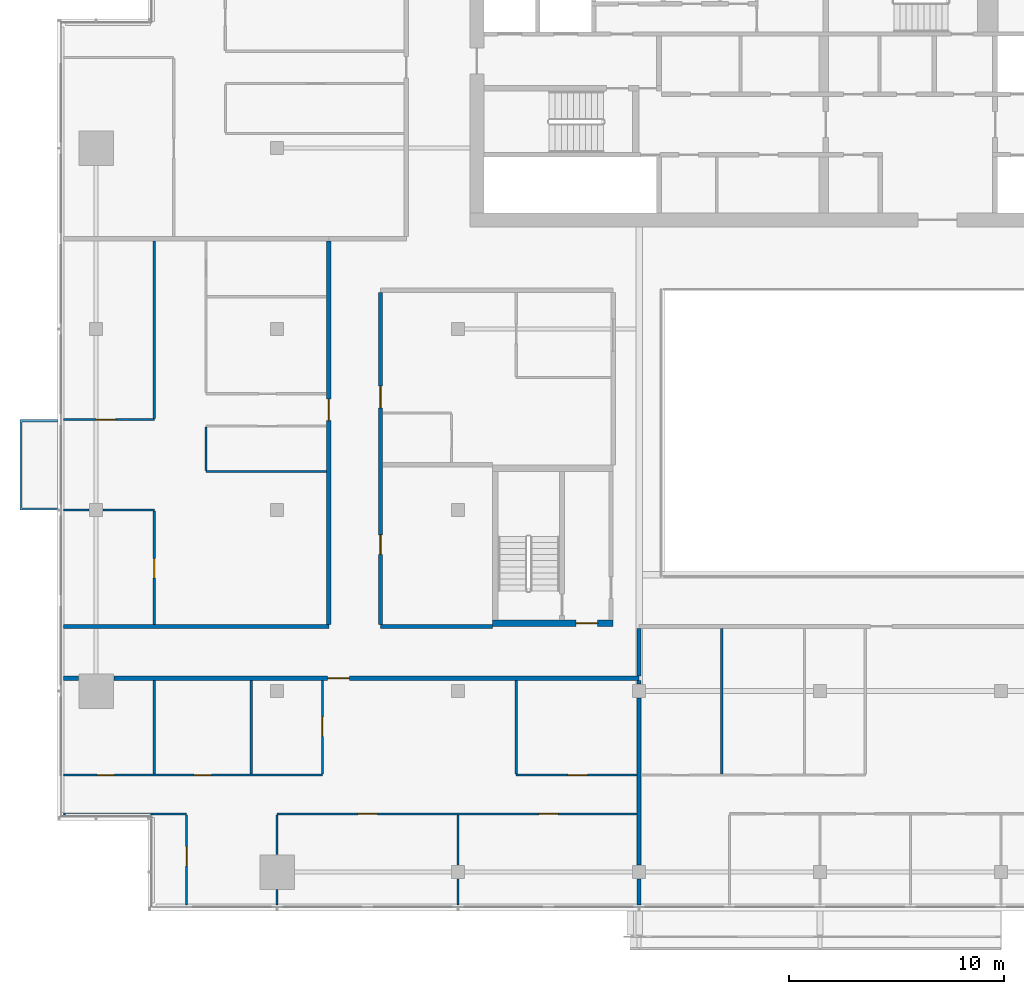
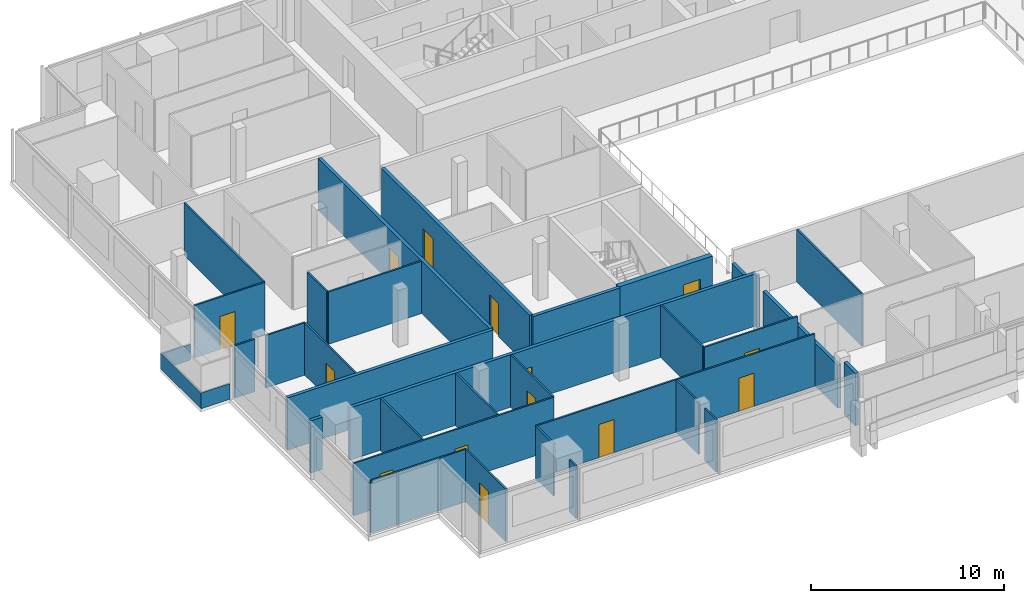
# One storey, part 17 of 26: 33 walls, 14 doors, 14 openings.
"""IFC4 building model written with IfcOpenShell, lengths in metres."""

from ifc_helpers import new_model, si_unit, direction, frame, frame_2d, origin, place, context, subcontext, project, spatial, polyline, rectangle, outline, extrude, material, layer, layer_set, type_object, element, fill, save


model = new_model("IFC4")

# Units and contexts
model_context = context("Model", 3, precision=1e-05, world=origin(), true_north=direction((0.0, 1.0)))
body_context = subcontext(model_context, "Body", "Model", "MODEL_VIEW")
ifc_project = project(units=[si_unit("LENGTHUNIT", "METRE"), si_unit("AREAUNIT", "SQUARE_METRE"), si_unit("VOLUMEUNIT", "CUBIC_METRE"), si_unit("PLANEANGLEUNIT", "RADIAN"), si_unit("MASSUNIT", "GRAM", prefix="KILO")], contexts=[model_context])

# Site, building, storey
site_placement = place(None, origin())
site = spatial("IfcSite", under=ifc_project, at=site_placement, CompositionType="ELEMENT")
building_placement = place(site_placement, origin())
building = spatial("IfcBuilding", under=site, at=building_placement, Name="Saffron Gate Tower", CompositionType="ELEMENT")
storey_placement = place(building_placement, frame((0.0, 0.0, 230.699951171875)))
storey = spatial("IfcBuildingStorey", under=building, at=storey_placement, Name="L56", CompositionType="ELEMENT", Elevation=230.699951171875)

# Wall, opening, door
ifc_material_1 = material(Name="Concrete C60", Category="concrete")
ifc_layer_1 = layer(ifc_material_1, 0.300048828125)
ifc_layer_set_1 = layer_set([ifc_layer_1], Name="CW17 RC core wall 300 C60")
wall_type_1 = type_object("IfcWallType", Name="CW17 RC core wall 300 C60", PredefinedType="SOLIDWALL", material=ifc_layer_set_1)
wall_1_placement = place(storey_placement, frame((68.199951171875, 43.35009765625, 0.0), z_axis=(0.0, 0.0, 1.0), x_axis=(1.0, 0.0, 0.0)))
wall_1 = element("IfcWall", 1, at=wall_1_placement, inside=storey, type_object=wall_type_1, Name="Wall CW17-L56-D-1", PredefinedType="SOLIDWALL", context=body_context, shape_type="SweptSolid", body=[
    extrude(rectangle(XDim=5.60009765625, YDim=0.300048828125, at=frame_2d((2.800048828125, 0.0))), origin(), (0.0, 0.0, 1.0), 3.320068359375),
])
opening_1_placement = place(wall_1_placement, frame((3.875, 0.0, 0.0)))
opening_1 = element("IfcOpeningElement", 2, at=opening_1_placement, cuts=wall_1, Name="Opening CR-18", PredefinedType="OPENING", context=body_context, shape_type="SweptSolid", body=[
    extrude(rectangle(XDim=1.0, YDim=2.10009765625, at=frame_2d((0.5, 1.050048828125))), frame((0.0, 0.16015625, 0.0), z_axis=(0.0, -1.0, 0.0), x_axis=(1.0, 0.0, 0.0)), (0.0, 0.0, 1.0), 0.320068359375),
])
ifc_material_2 = material(Name="Steel fire door set", Category="steel")
door_type_1 = type_object("IfcDoorType", Name="CD4 Lobby door 1000x2100 EI 120", OperationType="NOTDEFINED", PredefinedType="DOOR", material=ifc_material_2)
door_1_placement = place(opening_1_placement, origin())
door_1 = element("IfcDoor", 3, at=door_1_placement, inside=storey, type_object=door_type_1, Name="DOOR CR-18", OperationType="SINGLE_SWING_RIGHT", OverallHeight=2.10009765625, OverallWidth=1.0, PredefinedType="DOOR", context=body_context, shape_type="SweptSolid", body=[
    extrude(rectangle(XDim=1.0, YDim=2.10009765625, at=frame_2d((0.5, 1.050048828125))), frame((0.0, 0.02490234375, 0.0), z_axis=(0.0, -1.0, 0.0), x_axis=(1.0, 0.0, 0.0)), (0.0, 0.0, 1.0), 0.050048828125),
])
fill(opening_1, door_1)

# Wall
ifc_material_3 = material(Name="Plasterboard on steel studs", Category="steel")
ifc_layer_2 = layer(ifc_material_3, 0.10009765625)
ifc_layer_set_2 = layer_set([ifc_layer_2], Name="PW1 Partition 100")
wall_type_2 = type_object("IfcWallType", Name="PW1 Partition 100", PredefinedType="PARTITIONING", material=ifc_layer_set_2)
wall_2_placement = place(storey_placement, frame((48.280029296875, 34.5, 0.0), z_axis=(0.0, 0.0, 1.0), x_axis=(1.0, 0.0, 0.0)))
element("IfcWall", 4, at=wall_2_placement, inside=storey, type_object=wall_type_2, Name="Partition D3-1", PredefinedType="PARTITIONING", context=body_context, shape_type="SweptSolid", body=[
    extrude(rectangle(XDim=5.719970703125, YDim=0.10009765625, at=frame_2d((2.85986328125, 0.0))), origin(), (0.0, 0.0, 1.0), 3.320068359375),
])

# Wall, openings, doors
wall_3_placement = place(storey_placement, frame((74.89990234375, 34.5, 0.0), z_axis=(0.0, 0.0, 1.0), x_axis=(-1.0, 0.0, 0.0)))
wall_3 = element("IfcWall", 5, at=wall_3_placement, inside=storey, type_object=wall_type_2, Name="Partition D3-2", PredefinedType="PARTITIONING", context=body_context, shape_type="SweptSolid", body=[
    extrude(rectangle(XDim=16.699951171875, YDim=0.10009765625, at=frame_2d((8.35009765625, 0.0))), origin(), (0.0, 0.0, 1.0), 3.320068359375),
])
opening_2_placement = place(wall_3_placement, frame((3.64990234375, 0.0, 0.0)))
opening_2 = element("IfcOpeningElement", 6, at=opening_2_placement, cuts=wall_3, Name="Opening D3-12", PredefinedType="OPENING", context=body_context, shape_type="SweptSolid", body=[
    extrude(rectangle(XDim=0.89990234375, YDim=2.10009765625, at=frame_2d((0.449951171875, 1.050048828125))), frame((0.0, 0.06005859375, 0.0), z_axis=(0.0, -1.0, 0.0), x_axis=(1.0, 0.0, 0.0)), (0.0, 0.0, 1.0), 0.1201171875),
])
opening_3_placement = place(wall_3_placement, frame((12.050048828125, 0.0, 0.0)))
opening_3 = element("IfcOpeningElement", 7, at=opening_3_placement, cuts=wall_3, Name="Opening D3-11", PredefinedType="OPENING", context=body_context, shape_type="SweptSolid", body=[
    extrude(rectangle(XDim=0.89990234375, YDim=2.10009765625, at=frame_2d((0.449951171875, 1.050048828125))), frame((0.0, 0.06005859375, 0.0), z_axis=(0.0, -1.0, 0.0), x_axis=(1.0, 0.0, 0.0)), (0.0, 0.0, 1.0), 0.1201171875),
])
ifc_material_4 = material(Name="Timber door set", Category="wood")
door_type_2 = type_object("IfcDoorType", Name="RD1 Room door 900x2100", OperationType="NOTDEFINED", PredefinedType="DOOR", material=ifc_material_4)
door_2_placement = place(opening_2_placement, origin())
door_2 = element("IfcDoor", 8, at=door_2_placement, inside=storey, type_object=door_type_2, Name="Door D3-12", OperationType="SINGLE_SWING_LEFT", OverallHeight=2.10009765625, OverallWidth=0.89990234375, PredefinedType="DOOR", context=body_context, shape_type="SweptSolid", body=[
    extrude(rectangle(XDim=0.89990234375, YDim=2.10009765625, at=frame_2d((0.449951171875, 1.050048828125))), frame((0.0, 0.02490234375, 0.0), z_axis=(0.0, -1.0, 0.0), x_axis=(1.0, 0.0, 0.0)), (0.0, 0.0, 1.0), 0.050048828125),
])
fill(opening_2, door_2)
door_3_placement = place(opening_3_placement, origin())
door_3 = element("IfcDoor", 9, at=door_3_placement, inside=storey, type_object=door_type_2, Name="Door D3-11", OperationType="SINGLE_SWING_RIGHT", OverallHeight=2.10009765625, OverallWidth=0.89990234375, PredefinedType="DOOR", context=body_context, shape_type="SweptSolid", body=[
    extrude(rectangle(XDim=0.89990234375, YDim=2.10009765625, at=frame_2d((0.449951171875, 1.050048828125))), frame((0.0, 0.02490234375, 0.0), z_axis=(0.0, -1.0, 0.0), x_axis=(1.0, 0.0, 0.0)), (0.0, 0.0, 1.0), 0.050048828125),
])
fill(opening_3, door_3)

wall_4_placement = place(storey_placement, frame((48.280029296875, 36.300048828125, 0.0), z_axis=(0.0, 0.0, 1.0), x_axis=(1.0, 0.0, 0.0)))
wall_4 = element("IfcWall", 10, at=wall_4_placement, inside=storey, type_object=wall_type_2, Name="Partition D3-4", PredefinedType="PARTITIONING", context=body_context, shape_type="SweptSolid", body=[
    extrude(rectangle(XDim=12.02001953125, YDim=0.10009765625, at=frame_2d((6.010009765625, 0.0))), origin(), (0.0, 0.0, 1.0), 3.320068359375),
])
opening_4_placement = place(wall_4_placement, frame((1.570068359375, 0.0, 0.0)))
opening_4 = element("IfcOpeningElement", 11, at=opening_4_placement, cuts=wall_4, Name="Opening D3-39", PredefinedType="OPENING", context=body_context, shape_type="SweptSolid", body=[
    extrude(rectangle(XDim=0.800048828125, YDim=2.10009765625, at=frame_2d((0.39990234375, 1.050048828125))), frame((0.0, 0.06005859375, 0.0), z_axis=(0.0, -1.0, 0.0), x_axis=(1.0, 0.0, 0.0)), (0.0, 0.0, 1.0), 0.1201171875),
])
opening_5_placement = place(wall_4_placement, frame((6.070068359375, 0.0, 0.0)))
opening_5 = element("IfcOpeningElement", 12, at=opening_5_placement, cuts=wall_4, Name="Opening D3-40", PredefinedType="OPENING", context=body_context, shape_type="SweptSolid", body=[
    extrude(rectangle(XDim=0.800048828125, YDim=2.10009765625, at=frame_2d((0.39990234375, 1.050048828125))), frame((0.0, 0.06005859375, 0.0), z_axis=(0.0, -1.0, 0.0), x_axis=(1.0, 0.0, 0.0)), (0.0, 0.0, 1.0), 0.1201171875),
])
door_type_3 = type_object("IfcDoorType", Name="RD2 Bathroom door 800x2100", OperationType="NOTDEFINED", PredefinedType="DOOR", material=ifc_material_4)
door_4_placement = place(opening_4_placement, origin())
door_4 = element("IfcDoor", 13, at=door_4_placement, inside=storey, type_object=door_type_3, Name="Door D3-39", OperationType="SINGLE_SWING_LEFT", OverallHeight=2.10009765625, OverallWidth=0.800048828125, PredefinedType="DOOR", context=body_context, shape_type="SweptSolid", body=[
    extrude(rectangle(XDim=0.800048828125, YDim=2.10009765625, at=frame_2d((0.39990234375, 1.050048828125))), frame((0.0, 0.02490234375, 0.0), z_axis=(0.0, -1.0, 0.0), x_axis=(1.0, 0.0, 0.0)), (0.0, 0.0, 1.0), 0.050048828125),
])
fill(opening_4, door_4)
door_5_placement = place(opening_5_placement, origin())
door_5 = element("IfcDoor", 14, at=door_5_placement, inside=storey, type_object=door_type_3, Name="Door D3-40", OperationType="SINGLE_SWING_LEFT", OverallHeight=2.10009765625, OverallWidth=0.800048828125, PredefinedType="DOOR", context=body_context, shape_type="SweptSolid", body=[
    extrude(rectangle(XDim=0.800048828125, YDim=2.10009765625, at=frame_2d((0.39990234375, 1.050048828125))), frame((0.0, 0.02490234375, 0.0), z_axis=(0.0, -1.0, 0.0), x_axis=(1.0, 0.0, 0.0)), (0.0, 0.0, 1.0), 0.050048828125),
])
fill(opening_5, door_5)

# Walls
wall_5_placement = place(storey_placement, frame((48.280029296875, 48.60009765625, 0.0), z_axis=(0.0, 0.0, 1.0), x_axis=(1.0, 0.0, 0.0)))
element("IfcWall", 15, at=wall_5_placement, inside=storey, type_object=wall_type_2, Name="Partition D3-19", PredefinedType="PARTITIONING", context=body_context, shape_type="SweptSolid", body=[
    extrude(rectangle(XDim=1.199951171875, YDim=0.10009765625, at=frame_2d((0.60009765625, 0.0))), origin(), (0.0, 0.0, 1.0), 3.320068359375),
])
wall_6_placement = place(storey_placement, frame((50.1201171875, 48.60009765625, 0.0), z_axis=(0.0, 0.0, 1.0), x_axis=(1.0, 0.0, 0.0)))
element("IfcWall", 16, at=wall_6_placement, inside=storey, type_object=wall_type_2, Name="Partition D3-20", PredefinedType="PARTITIONING", context=body_context, shape_type="SweptSolid", body=[
    extrude(rectangle(XDim=2.3798828125, YDim=0.10009765625, at=frame_2d((1.18994140625, 0.0))), origin(), (0.0, 0.0, 1.0), 3.320068359375),
])
wall_7_placement = place(storey_placement, frame((54.89990234375, 50.39306640625, 0.0), z_axis=(0.0, 0.0, 1.0), x_axis=(1.0, 0.0, 0.0)))
element("IfcWall", 17, at=wall_7_placement, inside=storey, type_object=wall_type_2, Name="Partition D3-23", PredefinedType="PARTITIONING", context=body_context, shape_type="SweptSolid", body=[
    extrude(rectangle(XDim=5.60009765625, YDim=0.10009765625, at=frame_2d((2.800048828125, 0.0))), origin(), (0.0, 0.0, 1.0), 3.320068359375),
])

# Wall, opening, door
wall_8_placement = place(storey_placement, frame((48.280029296875, 52.800048828125, 0.0), z_axis=(0.0, 0.0, 1.0), x_axis=(1.0, 0.0, 0.0)))
wall_8 = element("IfcWall", 18, at=wall_8_placement, inside=storey, type_object=wall_type_2, Name="Partition D3-27", PredefinedType="PARTITIONING", context=body_context, shape_type="SweptSolid", body=[
    extrude(rectangle(XDim=4.219970703125, YDim=0.10009765625, at=frame_2d((2.10986328125, 0.0))), origin(), (0.0, 0.0, 1.0), 3.320068359375),
])
opening_6_placement = place(wall_8_placement, frame((1.52001953125, 0.0, 0.0)))
opening_6 = element("IfcOpeningElement", 19, at=opening_6_placement, cuts=wall_8, Name="Opening D3-26", PredefinedType="OPENING", context=body_context, shape_type="SweptSolid", body=[
    extrude(rectangle(XDim=0.89990234375, YDim=2.10009765625, at=frame_2d((0.449951171875, 1.050048828125))), frame((0.0, 0.06005859375, 0.0), z_axis=(0.0, -1.0, 0.0), x_axis=(1.0, 0.0, 0.0)), (0.0, 0.0, 1.0), 0.1201171875),
])
door_6_placement = place(opening_6_placement, origin())
door_6 = element("IfcDoor", 20, at=door_6_placement, inside=storey, type_object=door_type_2, Name="Door D3-26", OperationType="SINGLE_SWING_LEFT", OverallHeight=2.10009765625, OverallWidth=0.89990234375, PredefinedType="DOOR", context=body_context, shape_type="SweptSolid", body=[
    extrude(rectangle(XDim=0.89990234375, YDim=2.10009765625, at=frame_2d((0.449951171875, 1.050048828125))), frame((0.0, 0.02490234375, 0.0), z_axis=(0.0, -1.0, 0.0), x_axis=(1.0, 0.0, 0.0)), (0.0, 0.0, 1.0), 0.050048828125),
])
fill(opening_6, door_6)

# Wall
wall_9_placement = place(storey_placement, frame((52.5, 40.699951171875, 0.0), z_axis=(0.0, 0.0, 1.0), x_axis=(0.0, -1.0, 0.0)))
element("IfcWall", 21, at=wall_9_placement, inside=storey, type_object=wall_type_2, Name="Partition D3-55", PredefinedType="PARTITIONING", context=body_context, shape_type="SweptSolid", body=[
    extrude(rectangle(XDim=4.349853515625, YDim=0.10009765625, at=frame_2d((2.1748046875, 0.0))), origin(), (0.0, 0.0, 1.0), 3.320068359375),
])

# Wall, opening, door
wall_10_placement = place(storey_placement, frame((52.5, 43.300048828125, 0.0), z_axis=(0.0, 0.0, 1.0), x_axis=(0.0, 1.0, 0.0)))
wall_10 = element("IfcWall", 22, at=wall_10_placement, inside=storey, type_object=wall_type_2, Name="Partition D3-56", PredefinedType="PARTITIONING", context=body_context, shape_type="SweptSolid", body=[
    extrude(rectangle(XDim=5.25, YDim=0.10009765625, at=frame_2d((2.625, 0.0))), origin(), (0.0, 0.0, 1.0), 3.320068359375),
])
opening_7_placement = place(wall_10_placement, frame((2.14990234375, 0.0, 0.0)))
opening_7 = element("IfcOpeningElement", 23, at=opening_7_placement, cuts=wall_10, Name="Opening D3-25", PredefinedType="OPENING", context=body_context, shape_type="SweptSolid", body=[
    extrude(rectangle(XDim=0.89990234375, YDim=2.10009765625, at=frame_2d((0.449951171875, 1.050048828125))), frame((0.0, 0.06005859375, 0.0), z_axis=(0.0, -1.0, 0.0), x_axis=(1.0, 0.0, 0.0)), (0.0, 0.0, 1.0), 0.1201171875),
])
door_7_placement = place(opening_7_placement, origin())
door_7 = element("IfcDoor", 24, at=door_7_placement, inside=storey, type_object=door_type_2, Name="Door D3-25", OperationType="SINGLE_SWING_LEFT", OverallHeight=2.10009765625, OverallWidth=0.89990234375, PredefinedType="DOOR", context=body_context, shape_type="SweptSolid", body=[
    extrude(rectangle(XDim=0.89990234375, YDim=2.10009765625, at=frame_2d((0.449951171875, 1.050048828125))), frame((0.0, 0.02490234375, 0.0), z_axis=(0.0, -1.0, 0.0), x_axis=(1.0, 0.0, 0.0)), (0.0, 0.0, 1.0), 0.050048828125),
])
fill(opening_7, door_7)

# Wall
wall_11_placement = place(storey_placement, frame((52.5, 61.10009765625, 0.0), z_axis=(0.0, 0.0, 1.0), x_axis=(0.0, -1.0, 0.0)))
element("IfcWall", 25, at=wall_11_placement, inside=storey, type_object=wall_type_2, Name="Partition D3-57", PredefinedType="PARTITIONING", context=body_context, shape_type="SweptSolid", body=[
    extrude(rectangle(XDim=8.25, YDim=0.10009765625, at=frame_2d((4.125, 0.0))), origin(), (0.0, 0.0, 1.0), 3.320068359375),
])

# Wall, opening, door
wall_12_placement = place(storey_placement, frame((54.0, 30.280029296875, 0.0), z_axis=(0.0, 0.0, 1.0), x_axis=(0.0, 1.0, 0.0)))
wall_12 = element("IfcWall", 26, at=wall_12_placement, inside=storey, type_object=wall_type_2, Name="Partition D3-59", PredefinedType="PARTITIONING", context=body_context, shape_type="SweptSolid", body=[
    extrude(rectangle(XDim=4.169921875, YDim=0.10009765625, at=frame_2d((2.0849609375, 0.0))), origin(), (0.0, 0.0, 1.0), 3.320068359375),
])
opening_8_placement = place(wall_12_placement, frame((1.802734375, 0.0, 0.0)))
opening_8 = element("IfcOpeningElement", 27, at=opening_8_placement, cuts=wall_12, Name="Opening D3-10", PredefinedType="OPENING", context=body_context, shape_type="SweptSolid", body=[
    extrude(rectangle(XDim=0.89990234375, YDim=2.10009765625, at=frame_2d((0.449951171875, 1.050048828125))), frame((0.0, 0.06005859375, 0.0), z_axis=(0.0, -1.0, 0.0), x_axis=(1.0, 0.0, 0.0)), (0.0, 0.0, 1.0), 0.1201171875),
])
door_8_placement = place(opening_8_placement, origin())
door_8 = element("IfcDoor", 28, at=door_8_placement, inside=storey, type_object=door_type_2, Name="Door D3-10", OperationType="SINGLE_SWING_RIGHT", OverallHeight=2.10009765625, OverallWidth=0.89990234375, PredefinedType="DOOR", context=body_context, shape_type="SweptSolid", body=[
    extrude(rectangle(XDim=0.89990234375, YDim=2.10009765625, at=frame_2d((0.449951171875, 1.050048828125))), frame((0.0, 0.02490234375, 0.0), z_axis=(0.0, -1.0, 0.0), x_axis=(1.0, 0.0, 0.0)), (0.0, 0.0, 1.0), 0.050048828125),
])
fill(opening_8, door_8)

# Walls
wall_13_placement = place(storey_placement, frame((54.89990234375, 52.449951171875, 0.0), z_axis=(0.0, 0.0, 1.0), x_axis=(0.0, -1.0, 0.0)))
element("IfcWall", 29, at=wall_13_placement, inside=storey, type_object=wall_type_2, Name="Partition D3-60", PredefinedType="PARTITIONING", context=body_context, shape_type="SweptSolid", body=[
    extrude(rectangle(XDim=2.0068359375, YDim=0.10009765625, at=frame_2d((1.00341796875, 0.0))), origin(), (0.0, 0.0, 1.0), 3.320068359375),
])
wall_14_placement = place(storey_placement, frame((57.0, 40.699951171875, 0.0), z_axis=(0.0, 0.0, 1.0), x_axis=(0.0, -1.0, 0.0)))
element("IfcWall", 30, at=wall_14_placement, inside=storey, type_object=wall_type_2, Name="Partition D3-64", PredefinedType="PARTITIONING", context=body_context, shape_type="SweptSolid", body=[
    extrude(rectangle(XDim=4.349853515625, YDim=0.10009765625, at=frame_2d((2.1748046875, 0.0))), origin(), (0.0, 0.0, 1.0), 3.320068359375),
])
wall_15_placement = place(storey_placement, frame((58.199951171875, 30.97998046875, 0.0), z_axis=(0.0, 0.0, 1.0), x_axis=(0.0, -1.0, 0.0)))
element("IfcWall", 31, at=wall_15_placement, inside=storey, type_object=wall_type_2, Name="Partition D3-65", PredefinedType="PARTITIONING", context=body_context, shape_type="SweptSolid", body=[
    extrude(rectangle(XDim=0.699951171875, YDim=0.10009765625, at=frame_2d((0.35009765625, 0.0))), origin(), (0.0, 0.0, 1.0), 3.320068359375),
])
wall_16_placement = place(storey_placement, frame((58.199951171875, 34.449951171875, 0.0), z_axis=(0.0, 0.0, 1.0), x_axis=(0.0, -1.0, 0.0)))
element("IfcWall", 32, at=wall_16_placement, inside=storey, type_object=wall_type_2, Name="Partition D3-66", PredefinedType="PARTITIONING", context=body_context, shape_type="SweptSolid", body=[
    extrude(rectangle(XDim=1.829833984375, YDim=0.10009765625, at=frame_2d((0.9150390625, 0.0))), origin(), (0.0, 0.0, 1.0), 3.320068359375),
])

# Wall, opening, door
wall_17_placement = place(storey_placement, frame((60.300048828125, 36.35009765625, 0.0), z_axis=(0.0, 0.0, 1.0), x_axis=(0.0, 1.0, 0.0)))
wall_17 = element("IfcWall", 33, at=wall_17_placement, inside=storey, type_object=wall_type_2, Name="Partition D3-67", PredefinedType="PARTITIONING", context=body_context, shape_type="SweptSolid", body=[
    extrude(rectangle(XDim=4.349853515625, YDim=0.10009765625, at=frame_2d((2.1748046875, 0.0))), origin(), (0.0, 0.0, 1.0), 3.320068359375),
])
opening_9_placement = place(wall_17_placement, frame((1.75, 0.0, 0.0)))
opening_9 = element("IfcOpeningElement", 34, at=opening_9_placement, cuts=wall_17, Name="Opening D3-14", PredefinedType="OPENING", context=body_context, shape_type="SweptSolid", body=[
    extrude(rectangle(XDim=0.89990234375, YDim=2.10009765625, at=frame_2d((0.449951171875, 1.050048828125))), frame((0.0, 0.06005859375, 0.0), z_axis=(0.0, -1.0, 0.0), x_axis=(1.0, 0.0, 0.0)), (0.0, 0.0, 1.0), 0.1201171875),
])
door_9_placement = place(opening_9_placement, origin())
door_9 = element("IfcDoor", 35, at=door_9_placement, inside=storey, type_object=door_type_2, Name="Door D3-14", OperationType="SINGLE_SWING_RIGHT", OverallHeight=2.10009765625, OverallWidth=0.89990234375, PredefinedType="DOOR", context=body_context, shape_type="SweptSolid", body=[
    extrude(rectangle(XDim=0.89990234375, YDim=2.10009765625, at=frame_2d((0.449951171875, 1.050048828125))), frame((0.0, 0.02490234375, 0.0), z_axis=(0.0, -1.0, 0.0), x_axis=(1.0, 0.0, 0.0)), (0.0, 0.0, 1.0), 0.050048828125),
])
fill(opening_9, door_9)

# Walls
wall_18_placement = place(storey_placement, frame((66.60009765625, 31.47998046875, 0.0), z_axis=(0.0, 0.0, 1.0), x_axis=(0.0, -1.0, 0.0)))
element("IfcWall", 36, at=wall_18_placement, inside=storey, type_object=wall_type_2, Name="Partition D3-72", PredefinedType="PARTITIONING", context=body_context, shape_type="SweptSolid", body=[
    extrude(rectangle(XDim=1.199951171875, YDim=0.10009765625, at=frame_2d((0.60009765625, 0.0))), origin(), (0.0, 0.0, 1.0), 3.320068359375),
])
wall_19_placement = place(storey_placement, frame((66.60009765625, 34.449951171875, 0.0), z_axis=(0.0, 0.0, 1.0), x_axis=(0.0, -1.0, 0.0)))
element("IfcWall", 37, at=wall_19_placement, inside=storey, type_object=wall_type_2, Name="Partition D3-73", PredefinedType="PARTITIONING", context=body_context, shape_type="SweptSolid", body=[
    extrude(rectangle(XDim=2.329833984375, YDim=0.10009765625, at=frame_2d((1.1650390625, 0.0))), origin(), (0.0, 0.0, 1.0), 3.320068359375),
])
wall_20_placement = place(storey_placement, frame((69.300048828125, 40.699951171875, 0.0), z_axis=(0.0, 0.0, 1.0), x_axis=(0.0, -1.0, 0.0)))
element("IfcWall", 38, at=wall_20_placement, inside=storey, type_object=wall_type_2, Name="Partition D3-74", PredefinedType="PARTITIONING", context=body_context, shape_type="SweptSolid", body=[
    extrude(rectangle(XDim=4.349853515625, YDim=0.10009765625, at=frame_2d((2.1748046875, 0.0))), origin(), (0.0, 0.0, 1.0), 3.320068359375),
])
wall_21_placement = place(storey_placement, frame((78.840576171875, 43.10009765625, 0.0), z_axis=(0.0, 0.0, 1.0), x_axis=(0.0, -1.0, 0.0)))
element("IfcWall", 39, at=wall_21_placement, inside=storey, type_object=wall_type_2, Name="Partition D3-81", PredefinedType="PARTITIONING", context=body_context, shape_type="SweptSolid", body=[
    extrude(rectangle(XDim=6.75, YDim=0.10009765625, at=frame_2d((3.375, 0.0))), origin(), (0.0, 0.0, 1.0), 3.320068359375),
])

# Wall, opening, door
wall_22_placement = place(storey_placement, frame((69.300048828125, 36.300048828125, 0.0), z_axis=(0.0, 0.0, 1.0), x_axis=(1.0, 0.0, 0.0)))
wall_22 = element("IfcWall", 40, at=wall_22_placement, inside=storey, type_object=wall_type_2, Name="Partition D3-114", PredefinedType="PARTITIONING", context=body_context, shape_type="SweptSolid", body=[
    extrude(rectangle(XDim=5.599853515625, YDim=0.10009765625, at=frame_2d((2.7998046875, 0.0))), origin(), (0.0, 0.0, 1.0), 3.320068359375),
])
opening_10_placement = place(wall_22_placement, frame((2.39990234375, 0.0, 0.0)))
opening_10 = element("IfcOpeningElement", 41, at=opening_10_placement, cuts=wall_22, Name="Opening D3-13", PredefinedType="OPENING", context=body_context, shape_type="SweptSolid", body=[
    extrude(rectangle(XDim=0.89990234375, YDim=2.10009765625, at=frame_2d((0.449951171875, 1.050048828125))), frame((0.0, 0.06005859375, 0.0), z_axis=(0.0, -1.0, 0.0), x_axis=(1.0, 0.0, 0.0)), (0.0, 0.0, 1.0), 0.1201171875),
])
door_10_placement = place(opening_10_placement, origin())
door_10 = element("IfcDoor", 42, at=door_10_placement, inside=storey, type_object=door_type_2, Name="Door D3-13", OperationType="SINGLE_SWING_RIGHT", OverallHeight=2.10009765625, OverallWidth=0.89990234375, PredefinedType="DOOR", context=body_context, shape_type="SweptSolid", body=[
    extrude(rectangle(XDim=0.89990234375, YDim=2.10009765625, at=frame_2d((0.449951171875, 1.050048828125))), frame((0.0, 0.02490234375, 0.0), z_axis=(0.0, -1.0, 0.0), x_axis=(1.0, 0.0, 0.0)), (0.0, 0.0, 1.0), 0.050048828125),
])
fill(opening_10, door_10)

# Walls
ifc_material_5 = material(Name="Clay brick masonry, rendered", Category="masonry")
ifc_layer_3 = layer(ifc_material_5, 0.199951171875)
ifc_layer_set_3 = layer_set([ifc_layer_3], Name="PW2 Demising wall 200")
wall_type_3 = type_object("IfcWallType", Name="PW2 Demising wall 200", PredefinedType="PARTITIONING", material=ifc_layer_set_3)
wall_23_placement = place(storey_placement, frame((75.0, 31.47998046875, 0.0), z_axis=(0.0, 0.0, 1.0), x_axis=(0.0, -1.0, 0.0)))
element("IfcWall", 43, at=wall_23_placement, inside=storey, type_object=wall_type_3, Name="Wall D3-78", PredefinedType="PARTITIONING", context=body_context, shape_type="SweptSolid", body=[
    extrude(rectangle(XDim=1.199951171875, YDim=0.199951171875, at=frame_2d((0.60009765625, 0.0))), origin(), (0.0, 0.0, 1.0), 3.320068359375),
])
wall_24_placement = place(storey_placement, frame((75.0, 39.8798828125, 0.0), z_axis=(0.0, 0.0, 1.0), x_axis=(0.0, -1.0, 0.0)))
element("IfcWall", 44, at=wall_24_placement, inside=storey, type_object=wall_type_3, Name="Wall D3-79", PredefinedType="PARTITIONING", context=body_context, shape_type="SweptSolid", body=[
    extrude(rectangle(XDim=7.759765625, YDim=0.199951171875, at=frame_2d((3.8798828125, 0.0))), origin(), (0.0, 0.0, 1.0), 2.719970703125),
])
wall_25_placement = place(storey_placement, frame((75.0, 40.699951171875, 0.0), z_axis=(0.0, 0.0, 1.0), x_axis=(0.0, -1.0, 0.0)))
element("IfcWall", 45, at=wall_25_placement, inside=storey, type_object=wall_type_3, Name="Wall D3-80", PredefinedType="PARTITIONING", context=body_context, shape_type="SweptSolid", body=[
    extrude(rectangle(XDim=0.179931640625, YDim=0.199951171875, at=frame_2d((0.08984375, 0.0))), origin(), (0.0, 0.0, 1.0), 3.320068359375),
])
ifc_layer_4 = layer(ifc_material_5, 0.199951171875)
ifc_layer_set_4 = layer_set([ifc_layer_4], Name="PW3 Corridor wall 200")
wall_type_4 = type_object("IfcWallType", Name="PW3 Corridor wall 200", PredefinedType="PARTITIONING", material=ifc_layer_set_4)
wall_26_placement = place(storey_placement, frame((48.280029296875, 40.800048828125, 0.0), z_axis=(0.0, 0.0, 1.0), x_axis=(1.0, 0.0, 0.0)))
element("IfcWall", 46, at=wall_26_placement, inside=storey, type_object=wall_type_4, Name="Wall D3-8", PredefinedType="PARTITIONING", context=body_context, shape_type="SweptSolid", body=[
    extrude(rectangle(XDim=0.699951171875, YDim=0.199951171875, at=frame_2d((0.35009765625, 0.0))), origin(), (0.0, 0.0, 1.0), 3.320068359375),
])

# Wall, opening, door
wall_27_placement = place(storey_placement, frame((75.0, 40.800048828125, 0.0), z_axis=(0.0, 0.0, 1.0), x_axis=(-1.0, 0.0, 0.0)))
wall_27 = element("IfcWall", 47, at=wall_27_placement, inside=storey, type_object=wall_type_4, Name="Wall D3-9", PredefinedType="PARTITIONING", context=body_context, shape_type="SweptSolid", body=[
    extrude(rectangle(XDim=24.3798828125, YDim=0.199951171875, at=frame_2d((12.18994140625, 0.0))), origin(), (0.0, 0.0, 1.0), 3.320068359375),
])
opening_11_placement = place(wall_27_placement, frame((13.449951171875, 0.0, 0.0)))
opening_11 = element("IfcOpeningElement", 48, at=opening_11_placement, cuts=wall_27, Name="Opening D3-1", PredefinedType="OPENING", context=body_context, shape_type="SweptSolid", body=[
    extrude(rectangle(XDim=1.0, YDim=2.10009765625, at=frame_2d((0.5, 1.050048828125))), frame((0.0, 0.10986328125, 0.0), z_axis=(0.0, -1.0, 0.0), x_axis=(1.0, 0.0, 0.0)), (0.0, 0.0, 1.0), 0.219970703125),
])
ifc_material_6 = material(Name="Timber fire door set", Category="wood")
door_type_4 = type_object("IfcDoorType", Name="FD1 Flat entry door 1000x2100", OperationType="NOTDEFINED", PredefinedType="DOOR", material=ifc_material_6)
door_11_placement = place(opening_11_placement, origin())
door_11 = element("IfcDoor", 49, at=door_11_placement, inside=storey, type_object=door_type_4, Name="Door D3-1", OperationType="SINGLE_SWING_LEFT", OverallHeight=2.10009765625, OverallWidth=1.0, PredefinedType="DOOR", context=body_context, shape_type="SweptSolid", body=[
    extrude(rectangle(XDim=1.0, YDim=2.10009765625, at=frame_2d((0.5, 1.050048828125))), frame((0.0, 0.02490234375, 0.0), z_axis=(0.0, -1.0, 0.0), x_axis=(1.0, 0.0, 0.0)), (0.0, 0.0, 1.0), 0.050048828125),
])
fill(opening_11, door_11)

# Walls
wall_28_placement = place(storey_placement, frame((48.280029296875, 43.199951171875, 0.0), z_axis=(0.0, 0.0, 1.0), x_axis=(1.0, 0.0, 0.0)))
element("IfcWall", 50, at=wall_28_placement, inside=storey, type_object=wall_type_4, Name="Wall D3-12", PredefinedType="PARTITIONING", context=body_context, shape_type="SweptSolid", body=[
    extrude(rectangle(XDim=12.320068359375, YDim=0.199951171875, at=frame_2d((6.16015625, 0.0))), origin(), (0.0, 0.0, 1.0), 3.320068359375),
])
wall_29_placement = place(storey_placement, frame((63.0, 43.199951171875, 0.0), z_axis=(0.0, 0.0, 1.0), x_axis=(1.0, 0.0, 0.0)))
element("IfcWall", 51, at=wall_29_placement, inside=storey, type_object=wall_type_4, Name="Wall D3-13", PredefinedType="PARTITIONING", context=body_context, shape_type="SweptSolid", body=[
    extrude(rectangle(XDim=5.199951171875, YDim=0.199951171875, at=frame_2d((2.60009765625, 0.0))), origin(), (0.0, 0.0, 1.0), 3.320068359375),
])

# Wall, opening, door
wall_30_placement = place(storey_placement, frame((60.60009765625, 43.300048828125, 0.0), z_axis=(0.0, 0.0, 1.0), x_axis=(0.0, 1.0, 0.0)))
wall_30 = element("IfcWall", 52, at=wall_30_placement, inside=storey, type_object=wall_type_4, Name="Wall D3-68", PredefinedType="PARTITIONING", context=body_context, shape_type="SweptSolid", body=[
    extrude(rectangle(XDim=17.800048828125, YDim=0.199951171875, at=frame_2d((8.89990234375, 0.0))), origin(), (0.0, 0.0, 1.0), 3.320068359375),
])
opening_12_placement = place(wall_30_placement, frame((9.449951171875, 0.0, 0.0)))
opening_12 = element("IfcOpeningElement", 53, at=opening_12_placement, cuts=wall_30, Name="Opening D3-4", PredefinedType="OPENING", context=body_context, shape_type="SweptSolid", body=[
    extrude(rectangle(XDim=1.0, YDim=2.10009765625, at=frame_2d((0.5, 1.050048828125))), frame((0.0, 0.10986328125, 0.0), z_axis=(0.0, -1.0, 0.0), x_axis=(1.0, 0.0, 0.0)), (0.0, 0.0, 1.0), 0.219970703125),
])
door_12_placement = place(opening_12_placement, origin())
door_12 = element("IfcDoor", 54, at=door_12_placement, inside=storey, type_object=door_type_4, Name="Door D3-4", OperationType="SINGLE_SWING_RIGHT", OverallHeight=2.10009765625, OverallWidth=1.0, PredefinedType="DOOR", context=body_context, shape_type="SweptSolid", body=[
    extrude(rectangle(XDim=1.0, YDim=2.10009765625, at=frame_2d((0.5, 1.050048828125))), frame((0.0, 0.02490234375, 0.0), z_axis=(0.0, -1.0, 0.0), x_axis=(1.0, 0.0, 0.0)), (0.0, 0.0, 1.0), 0.050048828125),
])
fill(opening_12, door_12)

# Wall, openings, doors
wall_31_placement = place(storey_placement, frame((63.0, 58.699951171875, 0.0), z_axis=(0.0, 0.0, 1.0), x_axis=(0.0, -1.0, 0.0)))
wall_31 = element("IfcWall", 55, at=wall_31_placement, inside=storey, type_object=wall_type_4, Name="Wall D3-69", PredefinedType="PARTITIONING", context=body_context, shape_type="SweptSolid", body=[
    extrude(rectangle(XDim=15.39990234375, YDim=0.199951171875, at=frame_2d((7.699951171875, 0.0))), origin(), (0.0, 0.0, 1.0), 3.320068359375),
])
opening_13_placement = place(wall_31_placement, frame((4.35009765625, 0.0, 0.0)))
opening_13 = element("IfcOpeningElement", 56, at=opening_13_placement, cuts=wall_31, Name="Opening D3-8", PredefinedType="OPENING", context=body_context, shape_type="SweptSolid", body=[
    extrude(rectangle(XDim=1.0, YDim=2.10009765625, at=frame_2d((0.5, 1.050048828125))), frame((0.0, 0.10986328125, 0.0), z_axis=(0.0, -1.0, 0.0), x_axis=(1.0, 0.0, 0.0)), (0.0, 0.0, 1.0), 0.219970703125),
])
opening_14_placement = place(wall_31_placement, frame((11.25, 0.0, 0.0)))
opening_14 = element("IfcOpeningElement", 57, at=opening_14_placement, cuts=wall_31, Name="Opening D3-55", PredefinedType="OPENING", context=body_context, shape_type="SweptSolid", body=[
    extrude(rectangle(XDim=0.89990234375, YDim=2.10009765625, at=frame_2d((0.449951171875, 1.050048828125))), frame((0.0, 0.10986328125, 0.0), z_axis=(0.0, -1.0, 0.0), x_axis=(1.0, 0.0, 0.0)), (0.0, 0.0, 1.0), 0.219970703125),
])
door_13_placement = place(opening_13_placement, origin())
door_13 = element("IfcDoor", 58, at=door_13_placement, inside=storey, type_object=door_type_4, Name="Door D3-8", OperationType="SINGLE_SWING_LEFT", OverallHeight=2.10009765625, OverallWidth=1.0, PredefinedType="DOOR", context=body_context, shape_type="SweptSolid", body=[
    extrude(rectangle(XDim=1.0, YDim=2.10009765625, at=frame_2d((0.5, 1.050048828125))), frame((0.0, 0.02490234375, 0.0), z_axis=(0.0, -1.0, 0.0), x_axis=(1.0, 0.0, 0.0)), (0.0, 0.0, 1.0), 0.050048828125),
])
fill(opening_13, door_13)
door_type_5 = type_object("IfcDoorType", Name="SD1 Service door 900x2100", OperationType="NOTDEFINED", PredefinedType="DOOR", material=ifc_material_2)
door_14_placement = place(opening_14_placement, origin())
door_14 = element("IfcDoor", 59, at=door_14_placement, inside=storey, type_object=door_type_5, Name="Door D3-55", OperationType="SINGLE_SWING_RIGHT", OverallHeight=2.10009765625, OverallWidth=0.89990234375, PredefinedType="DOOR", context=body_context, shape_type="SweptSolid", body=[
    extrude(rectangle(XDim=0.89990234375, YDim=2.10009765625, at=frame_2d((0.449951171875, 1.050048828125))), frame((0.0, 0.02490234375, 0.0), z_axis=(0.0, -1.0, 0.0), x_axis=(1.0, 0.0, 0.0)), (0.0, 0.0, 1.0), 0.050048828125),
])
fill(opening_14, door_14)

# Walls
wall_32_placement = place(storey_placement, frame((75.0, 43.10009765625, 0.0), z_axis=(0.0, 0.0, 1.0), x_axis=(0.0, -1.0, 0.0)))
element("IfcWall", 60, at=wall_32_placement, inside=storey, type_object=wall_type_4, Name="Wall D3-77", PredefinedType="PARTITIONING", context=body_context, shape_type="SweptSolid", body=[
    extrude(rectangle(XDim=2.2001953125, YDim=0.199951171875, at=frame_2d((1.10009765625, 0.0))), origin(), (0.0, 0.0, 1.0), 2.530029296875),
])
ifc_material_7 = material(Name="Rendered insulated panel, white")
ifc_layer_5 = layer(ifc_material_7, 0.10009765625)
ifc_layer_set_5 = layer_set([ifc_layer_5], Name="WB3 box parapet white")
wall_type_5 = type_object("IfcWallType", Name="WB3 box parapet white", PredefinedType="SOLIDWALL", material=ifc_layer_set_5)
wall_33_placement = place(storey_placement, origin())
element("IfcWall", 61, at=wall_33_placement, inside=storey, type_object=wall_type_5, Name="WINDOW BOX parapet", PredefinedType="SOLIDWALL", context=body_context, shape_type="SweptSolid", body=[
    extrude(outline(polyline([(48.0, 52.800048828125), (48.0, 52.699951171875), (46.366943359375, 52.699951171875), (46.366943359375, 48.699951171875), (48.0, 48.699951171875), (48.0, 48.60009765625), (46.26708984375, 48.60009765625), (46.26708984375, 52.800048828125), (48.0, 52.800048828125)])), origin(), (0.0, 0.0, 1.0), 1.0),
])

save(model, "model.ifc")
